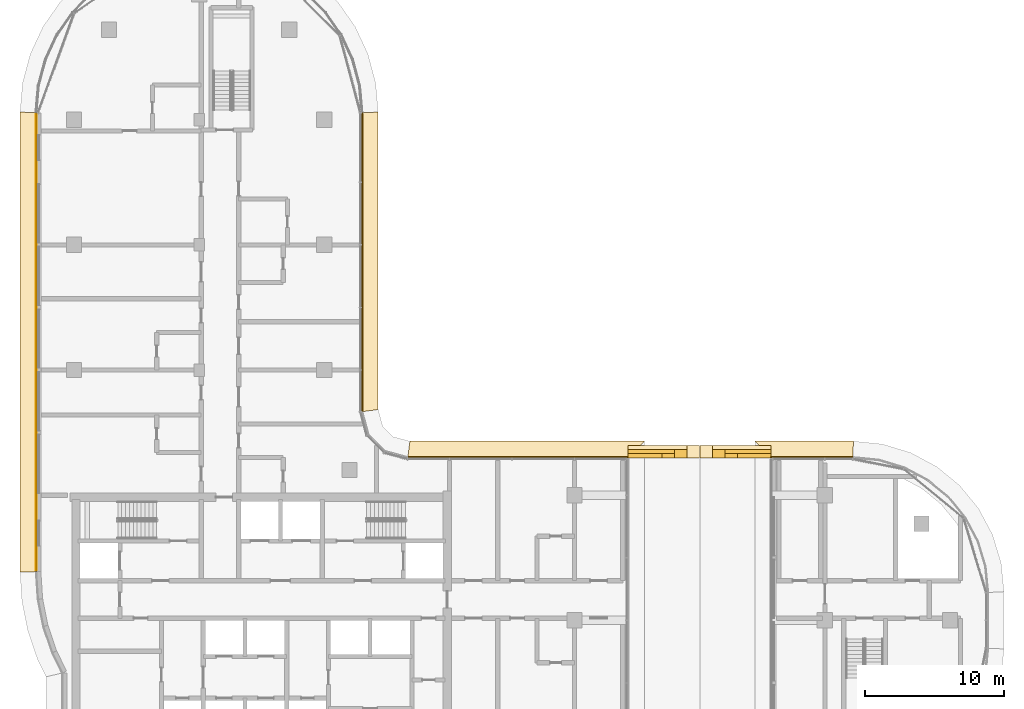
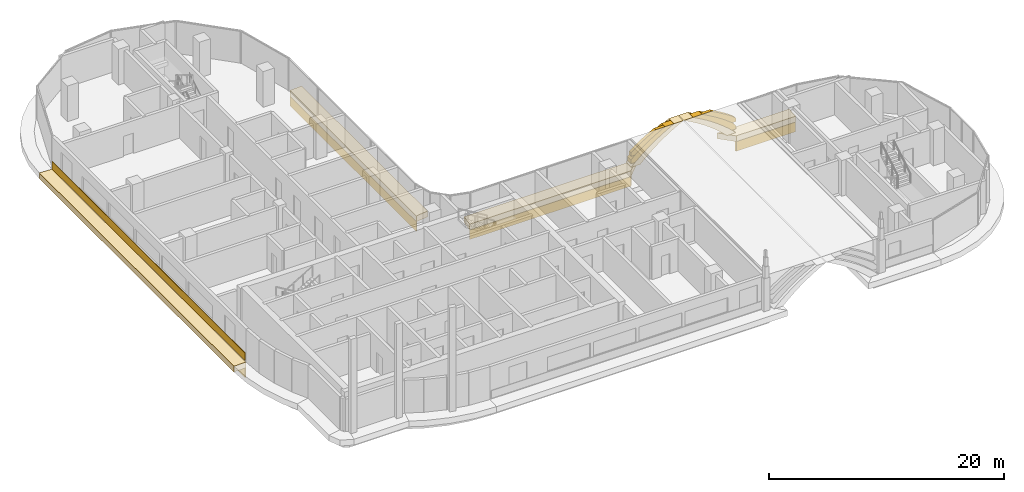
# One storey, part 21 of 23: 15 coverings.
"""IFC4 building model written with IfcOpenShell, lengths in metres."""

from ifc_helpers import new_model, si_unit, direction, frame, origin, origin_2d, place, context, subcontext, project, spatial, polyline, rectangle, outline, extrude, material, layer, layer_set, type_object, element, save


model = new_model("IFC4")

# Units and contexts
model_context = context("Model", 3, precision=1e-05, world=origin(), true_north=direction((0.0, 1.0)))
body_context = subcontext(model_context, "Body", "Model", "MODEL_VIEW")
ifc_project = project(units=[si_unit("LENGTHUNIT", "METRE"), si_unit("AREAUNIT", "SQUARE_METRE"), si_unit("VOLUMEUNIT", "CUBIC_METRE"), si_unit("PLANEANGLEUNIT", "RADIAN"), si_unit("MASSUNIT", "GRAM", prefix="KILO")], contexts=[model_context])

# Site, building, storey
site_placement = place(None, origin())
site = spatial("IfcSite", under=ifc_project, at=site_placement, CompositionType="ELEMENT")
building_placement = place(site_placement, origin())
building = spatial("IfcBuilding", under=site, at=building_placement, Name="Ogive Portal Towers", CompositionType="ELEMENT")
storey_placement = place(building_placement, frame((0.0, 0.0, 179.199951171875)))
storey = spatial("IfcBuildingStorey", under=building, at=storey_placement, Name="L44", CompositionType="ELEMENT", Elevation=179.199951171875)

# Coverings
ifc_material = material(Name="Limestone cladding on lightweight block wall", Category="masonry")
ifc_layer_1 = layer(ifc_material, 0.60009765625)
ifc_layer_set_1 = layer_set([ifc_layer_1], Name="PORTAL ARCHIVOLT STONE")
covering_type_1 = type_object("IfcCoveringType", Name="PORTAL ARCHIVOLT STONE", PredefinedType="CLADDING", material=ifc_layer_set_1)
covering_1_placement = place(storey_placement, frame((80.752197265625, 43.080078125, 0.35009765625), z_axis=(0.0, 1.0, 0.0), x_axis=(-0.719669649344, 0.0, 0.694316639447)))
element("IfcCovering", 1, at=covering_1_placement, inside=storey, type_object=covering_type_1, Name="PORTAL ARCHIVOLT E L44", PredefinedType="CLADDING", context=body_context, shape_type="SweptSolid", body=[
    extrude(outline(polyline([(0.0, 0.0), (0.5488900797889359, 0.0), (1.1183309398423564, -0.01948756360511228), (1.7106190673334216, -0.06135675548584385), (2.3292560948224543, -0.1283073706156721), (2.978289325762776, -0.22458337115184301), (3.6631716683915827, -0.355784806438022), (4.392500072610742, -0.5295272874984616), (5.156265794034831, -0.7364939046262022), (4.5086333898645945, -0.11167673348297624), (3.744867668440506, 0.0952898836447642), (3.015539264221346, 0.26903236470520353), (2.330481220994555, 0.4004033108896853), (1.6814479900542336, 0.496679311425856), (1.062810962565201, 0.5636299265556843), (0.47069853567212006, 0.6053296075381134), (-0.09874232438130054, 0.6248171711432257), (-0.6246156258342893, 0.6026112434655907), (0.0, 0.0)])), origin(), (0.0, 0.0, -1.0), 0.89990234375),
])
covering_2_placement = place(storey_placement, frame((81.257080078125, 42.780029296875, 0.731201171875), z_axis=(0.0, 1.0, 0.0), x_axis=(-0.742995788858, 0.0, 0.669296091232)))
element("IfcCovering", 2, at=covering_2_placement, inside=storey, type_object=covering_type_1, Name="PORTAL ARCHIVOLT E L44", PredefinedType="CLADDING", context=body_context, shape_type="SweptSolid", body=[
    extrude(outline(polyline([(0.0, 0.0), (0.5697742168909037, 0.0), (1.1629664407301357, -0.021423703039319175), (1.7835313853750274, -0.067176365525899), (2.4354777439536335, -0.1411976373345445), (3.12462816415665, -0.24906119200029453), (3.859472246248015, -0.39775734508167915), (4.629869837767171, -0.5784803619036694), (3.961064790520907, 0.023984161624972744), (3.1908485944580143, 0.20454377608093965), (2.4560045123666496, 0.35323992916232405), (1.766854092163633, 0.4611034838280743), (1.114907733585027, 0.5351247556367197), (0.49434278894013517, 0.5808774181232994), (-0.014500547736223668, 0.5263190209616915), (-0.26973504346492966, 0.24297931827694355), (0.0, 0.0)])), origin(), (0.0, 0.0, -1.0), 0.60009765625),
])
covering_3_placement = place(storey_placement, frame((81.278564453125, 42.47998046875, 1.49365234375), z_axis=(0.0, 1.0, 0.0), x_axis=(-0.790196535031, 0.0, 0.612853519224)))
element("IfcCovering", 3, at=covering_3_placement, inside=storey, type_object=covering_type_1, Name="PORTAL ARCHIVOLT E L44", PredefinedType="CLADDING", context=body_context, shape_type="SweptSolid", body=[
    extrude(outline(polyline([(0.0, 0.0), (0.6222492721142617, 0.0), (1.2778735443653138, -0.02588468233051955), (1.973089523817801, -0.08278450662765091), (2.7168778137712413, -0.1770466445942831), (3.4982853235320466, -0.300485158598206), (2.7871856096348844, 0.2510231597271999), (2.005585180798144, 0.3746112961723397), (1.2617968908447037, 0.46887343413897187), (0.5665809113922163, 0.5257732584361032), (-0.03618353405258978, 0.5106613918731987), (-0.2698937872333505, 0.2093217952624099), (0.0, 0.0)])), origin(), (0.0, 0.0, -1.0), 0.300048828125),
])
covering_4_placement = place(storey_placement, frame((72.247802734375, 42.179931640625, 0.35009765625), z_axis=(0.0, -1.0, 0.0), x_axis=(0.719669649344, 0.0, 0.694316639447)))
element("IfcCovering", 4, at=covering_4_placement, inside=storey, type_object=covering_type_1, Name="PORTAL ARCHIVOLT W L44", PredefinedType="CLADDING", context=body_context, shape_type="SweptSolid", body=[
    extrude(outline(polyline([(0.0, 0.0), (0.5488900797889359, 0.0), (1.1183309398423564, -0.01948756360511228), (1.7106190673334216, -0.06135675548584385), (2.3292560948224543, -0.1283073706156721), (2.978289325762776, -0.22458337115184301), (3.6631716683915827, -0.355784806438022), (4.392500072610742, -0.5295272874984616), (5.156265794034831, -0.7364939046262022), (4.5086333898645945, -0.11167673348297624), (3.744867668440506, 0.0952898836447642), (3.015539264221346, 0.26903236470520353), (2.330481220994555, 0.4004033108896853), (1.6814479900542336, 0.496679311425856), (1.062810962565201, 0.5636299265556843), (0.47069853567212006, 0.6053296075381134), (-0.09874232438130054, 0.6248171711432257), (-0.6476324041702364, 0.6248171711432257), (0.0, 0.0)])), origin(), (0.0, 0.0, -1.0), 0.89990234375),
])
covering_5_placement = place(storey_placement, frame((71.742919921875, 42.179931640625, 0.731201171875), z_axis=(0.0, -1.0, 0.0), x_axis=(0.742995788858, 0.0, 0.669296091232)))
element("IfcCovering", 5, at=covering_5_placement, inside=storey, type_object=covering_type_1, Name="PORTAL ARCHIVOLT W L44", PredefinedType="CLADDING", context=body_context, shape_type="SweptSolid", body=[
    extrude(outline(polyline([(0.0, 0.0), (0.5697742168909037, 0.0), (1.1629664407301357, -0.021423703039319175), (1.7835313853750274, -0.067176365525899), (2.4354777439536335, -0.1411976373345445), (3.12462816415665, -0.24906119200029453), (3.859472246248015, -0.39775734508167915), (4.629869837767171, -0.5784803619036694), (3.961064790520907, 0.023984161624972744), (3.1908485944580143, 0.20454377608093965), (2.4560045123666496, 0.35323992916232405), (1.766854092163633, 0.4611034838280743), (1.114907733585027, 0.5351247556367197), (0.49434278894013517, 0.5808774181232994), (-0.05150522081412928, 0.5596531036304853), (-0.3067397165428353, 0.2763134009457374), (0.0, 0.0)])), origin(), (0.0, 0.0, -1.0), 0.60009765625),
])
covering_6_placement = place(storey_placement, frame((71.721435546875, 42.179931640625, 1.49365234375), z_axis=(0.0, -1.0, 0.0), x_axis=(0.790196535031, 0.0, 0.612853519224)))
element("IfcCovering", 6, at=covering_6_placement, inside=storey, type_object=covering_type_1, Name="PORTAL ARCHIVOLT W L44", PredefinedType="CLADDING", context=body_context, shape_type="SweptSolid", body=[
    extrude(outline(polyline([(0.0, 0.0), (0.6222492721142617, 0.0), (1.2778735443653138, -0.02588468233051955), (1.973089523817801, -0.08278450662765091), (2.7168778137712413, -0.1770466445942831), (3.4982853235320466, -0.300485158598206), (2.7871856096348844, 0.2510231597271999), (2.005585180798144, 0.3746112961723397), (1.2617968908447037, 0.46887343413897187), (0.5665809113922163, 0.5257732584361032), (-0.07553902554337144, 0.5411843698814415), (-0.30924927872413216, 0.23984477327065265), (0.0, 0.0)])), origin(), (0.0, 0.0, -1.0), 0.300048828125),
])
ifc_layer_2 = layer(ifc_material, 0.050048828125)
ifc_layer_set_2 = layer_set([ifc_layer_2], Name="SCREEN PERFORATED STONE")
covering_type_2 = type_object("IfcCoveringType", Name="SCREEN PERFORATED STONE", PredefinedType="CLADDING", material=ifc_layer_set_2)
covering_7_placement = place(storey_placement, frame((28.794921875, 50.497802734375, 0.10009765625), z_axis=(0.0, 0.0, 1.0), x_axis=(0.0, -1.0, 0.0)))
element("IfcCovering", 7, at=covering_7_placement, inside=storey, type_object=covering_type_2, Name="Tracery screen", PredefinedType="CLADDING", context=body_context, shape_type="SweptSolid", body=[
    extrude(rectangle(XDim=32.776123046875, YDim=0.050048828125, at=origin_2d()), origin(), (0.0, 0.0, 1.0), 0.800048828125),
])
ifc_layer_3 = layer(ifc_material, 0.080078125)
ifc_layer_set_3 = layer_set([ifc_layer_3], Name="STONE SPANDREL 80")
covering_type_3 = type_object("IfcCoveringType", Name="STONE SPANDREL 80", PredefinedType="CLADDING", material=ifc_layer_set_3)
covering_8_placement = place(storey_placement, frame((0.0, 0.0, -1.599853515625)))
element("IfcCovering", 8, at=covering_8_placement, inside=storey, type_object=covering_type_3, Name="Stone spandrel A1-F07", PredefinedType="CLADDING", context=body_context, shape_type="SweptSolid", body=[
    extrude(outline(polyline([(71.330078125, 42.179931640625), (55.5, 42.179931640625), (55.510498046875, 42.260009765625), (71.409912109375, 42.260009765625), (71.330078125, 42.179931640625)])), origin(), (0.0, 0.0, 1.0), 1.0),
])
covering_9_placement = place(storey_placement, frame((0.0, 0.0, -1.599853515625)))
element("IfcCovering", 9, at=covering_9_placement, inside=storey, type_object=covering_type_3, Name="Stone spandrel A1-F09", PredefinedType="CLADDING", context=body_context, shape_type="SweptSolid", body=[
    extrude(outline(polyline([(52.179931640625, 45.5), (52.179931640625, 67.0), (52.260009765625, 67.00341796875), (52.260009765625, 45.510498046875), (52.179931640625, 45.5)])), origin(), (0.0, 0.0, 1.0), 1.0),
])
covering_10_placement = place(storey_placement, frame((0.0, 0.0, -1.599853515625)))
element("IfcCovering", 10, at=covering_10_placement, inside=storey, type_object=covering_type_3, Name="Stone spandrel A1-F11", PredefinedType="CLADDING", context=body_context, shape_type="SweptSolid", body=[
    extrude(outline(polyline([(28.820068359375, 67.0), (28.820068359375, 34.0), (28.739990234375, 33.997314453125), (28.739990234375, 67.00341796875), (28.820068359375, 67.0)])), origin(), (0.0, 0.0, 1.0), 1.0),
])
covering_11_placement = place(storey_placement, frame((0.0, 0.0, -1.599853515625)))
element("IfcCovering", 11, at=covering_11_placement, inside=storey, type_object=covering_type_3, Name="Stone spandrel A2-F04", PredefinedType="CLADDING", context=body_context, shape_type="SweptSolid", body=[
    extrude(outline(polyline([(87.5, 42.179931640625), (81.669921875, 42.179931640625), (81.590087890625, 42.260009765625), (87.50390625, 42.260009765625), (87.5, 42.179931640625)])), origin(), (0.0, 0.0, 1.0), 1.0),
])
ifc_layer_4 = layer(ifc_material, 0.60009765625)
ifc_layer_set_4 = layer_set([ifc_layer_4], Name="SUNSHADE LIP 600")
covering_type_4 = type_object("IfcCoveringType", Name="SUNSHADE LIP 600", PredefinedType="CLADDING", material=ifc_layer_set_4)
covering_12_placement = place(storey_placement, frame((0.0, 0.0, -0.599853515625)))
element("IfcCovering", 12, at=covering_12_placement, inside=storey, type_object=covering_type_4, Name="Sunshade lip A1-F07", PredefinedType="CLADDING", context=body_context, shape_type="SweptSolid", body=[
    extrude(outline(polyline([(71.330078125, 42.179931640625), (55.5, 42.179931640625), (55.657958984375, 43.3798828125), (72.530029296875, 43.3798828125), (71.330078125, 42.179931640625)])), origin(), (0.0, 0.0, 1.0), 0.599853515625),
])
covering_13_placement = place(storey_placement, frame((0.0, 0.0, -0.599853515625)))
element("IfcCovering", 13, at=covering_13_placement, inside=storey, type_object=covering_type_4, Name="Sunshade lip A1-F09", PredefinedType="CLADDING", context=body_context, shape_type="SweptSolid", body=[
    extrude(outline(polyline([(52.179931640625, 45.5), (52.179931640625, 67.0), (53.3798828125, 67.052490234375), (53.3798828125, 45.657958984375), (52.179931640625, 45.5)])), origin(), (0.0, 0.0, 1.0), 0.599853515625),
])
covering_14_placement = place(storey_placement, frame((0.0, 0.0, -0.599853515625)))
element("IfcCovering", 14, at=covering_14_placement, inside=storey, type_object=covering_type_4, Name="Sunshade lip A1-F11", PredefinedType="CLADDING", context=body_context, shape_type="SweptSolid", body=[
    extrude(outline(polyline([(28.820068359375, 67.0), (28.820068359375, 34.0), (27.6201171875, 33.960693359375), (27.6201171875, 67.052490234375), (28.820068359375, 67.0)])), origin(), (0.0, 0.0, 1.0), 0.599853515625),
])
covering_15_placement = place(storey_placement, frame((0.0, 0.0, -0.599853515625)))
element("IfcCovering", 15, at=covering_15_placement, inside=storey, type_object=covering_type_4, Name="Sunshade lip A2-F04", PredefinedType="CLADDING", context=body_context, shape_type="SweptSolid", body=[
    extrude(outline(polyline([(87.5, 42.179931640625), (81.669921875, 42.179931640625), (80.469970703125, 43.3798828125), (87.558837890625, 43.3798828125), (87.5, 42.179931640625)])), origin(), (0.0, 0.0, 1.0), 0.599853515625),
])

save(model, "model.ifc")
